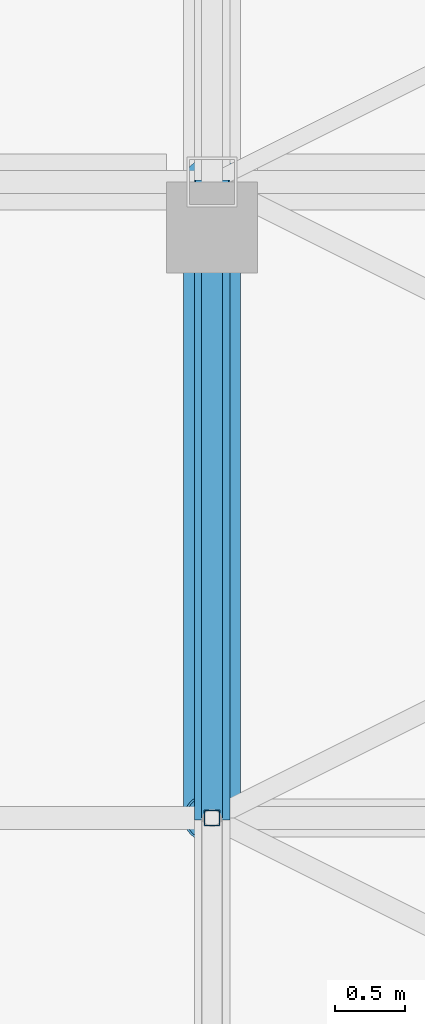
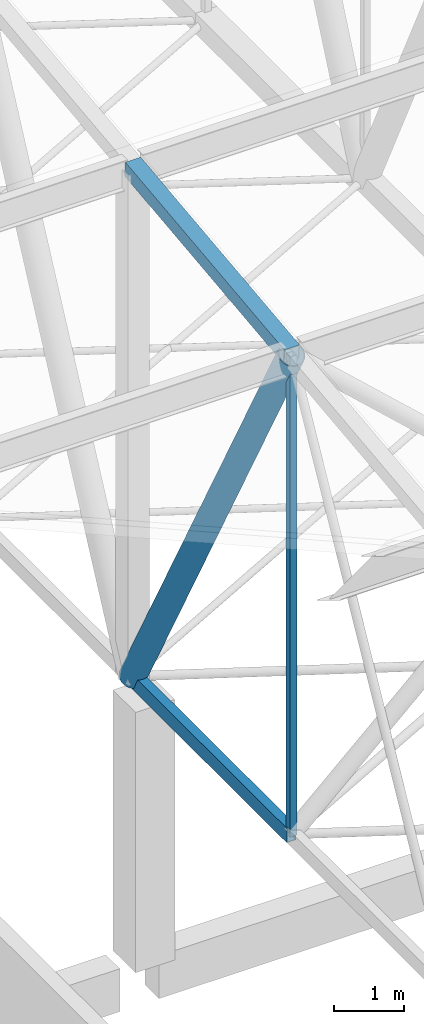
# One storey, part 35 of 500: 4 members.
"""IFC4 building model written with IfcOpenShell, lengths in metres."""

from ifc_helpers import new_model, si_unit, direction, frame, origin, origin_2d, place, context, subcontext, project, spatial, hollow_rectangle, hollow_circle, extrude, material, material_profile, profile_set, type_object, element, save


model = new_model("IFC4")

# Units and contexts
model_context = context("Model", 3, precision=1e-05, world=origin(), true_north=direction((0.0, 1.0)))
body_context = subcontext(model_context, "Body", "Model", "MODEL_VIEW")
ifc_project = project(units=[si_unit("LENGTHUNIT", "METRE"), si_unit("AREAUNIT", "SQUARE_METRE"), si_unit("VOLUMEUNIT", "CUBIC_METRE"), si_unit("PLANEANGLEUNIT", "RADIAN"), si_unit("MASSUNIT", "GRAM", prefix="KILO")], contexts=[model_context])

# Site, building, storey
site_placement = place(None, origin())
site = spatial("IfcSite", under=ifc_project, at=site_placement, CompositionType="ELEMENT")
building_placement = place(site_placement, origin())
building = spatial("IfcBuilding", under=site, at=building_placement, Name="Shirokan Park Arena", CompositionType="ELEMENT")
storey_placement = place(building_placement, frame((0.0, 0.0, 29.1201171875)))
storey = spatial("IfcBuildingStorey", under=building, at=storey_placement, Name="L06", CompositionType="ELEMENT", Elevation=29.1201171875)

# Members
ifc_material = material(Name="Steel ASTM A500 Grade C", Category="steel")
ifc_material_profile_1 = material_profile(ifc_material, hollow_rectangle(XDim=0.152099609375, YDim=0.25390625, WallThickness=0.009521484375, at=origin_2d()), Name="HSS254X152.4X9.5")
ifc_profile_set_1 = profile_set([ifc_material_profile_1], Name="Steel ASTM A500 Grade C")
member_type_1 = type_object("IfcMemberType", Name="Bottom chord HSS254X152.4X9.5", PredefinedType="CHORD", material=ifc_profile_set_1)
member_1_placement = place(storey_placement, frame((45.5, 4.550048828125, 4.677001953125), z_axis=(0.0, 1.0, 0.0), x_axis=(-1.0, 0.0, 0.0)))
element("IfcMember", 1, at=member_1_placement, inside=storey, type_object=member_type_1, Name="Truss T06 bottom chord 4", PredefinedType="CHORD", context=body_context, shape_type="SweptSolid", body=[
    extrude(hollow_rectangle(XDim=0.152099609375, YDim=0.25390625, WallThickness=0.009521484375, at=origin_2d()), origin(), (0.0, 0.0, 1.0), 4.550048828125),
])
ifc_material_profile_2 = material_profile(ifc_material, hollow_rectangle(XDim=0.25390625, YDim=0.25390625, WallThickness=0.009521484375, at=origin_2d()), Name="HSS254X254X9.5")
ifc_profile_set_2 = profile_set([ifc_material_profile_2], Name="Steel ASTM A500 Grade C")
member_type_2 = type_object("IfcMemberType", Name="Top chord HSS254X254X9.5", PredefinedType="CHORD", material=ifc_profile_set_2)
member_2_placement = place(storey_placement, frame((45.5, 4.550048828125, 13.061279296875), z_axis=(0.0, 0.993532328996, 0.113549598152), x_axis=(-1.0, 0.0, 0.0)))
element("IfcMember", 2, at=member_2_placement, inside=storey, type_object=member_type_2, Name="Truss T06 top chord 4", PredefinedType="CHORD", context=body_context, shape_type="SweptSolid", body=[
    extrude(hollow_rectangle(XDim=0.25390625, YDim=0.25390625, WallThickness=0.009521484375, at=origin_2d()), origin(), (0.0, 0.0, 1.0), 4.57958984375),
])
ifc_material_profile_3 = material_profile(ifc_material, hollow_circle(Radius=0.202880859375, WallThickness=0.015869140625, at=origin_2d()), Name="HSS406.4X15.9")
ifc_profile_set_3 = profile_set([ifc_material_profile_3], Name="Steel ASTM A500 Grade C")
member_type_3 = type_object("IfcMemberType", Name="Truss diagonal HSS406.4X15.9", PredefinedType="BRACE", material=ifc_profile_set_3)
member_3_placement = place(storey_placement, frame((45.5, 4.550048828125, 13.061279296875), z_axis=(0.0, 0.476977206611, -0.878915663971), x_axis=(-1.0, 0.0, 0.0)))
element("IfcMember", 3, at=member_3_placement, inside=storey, type_object=member_type_3, Name="Truss T06 diagonal 4", PredefinedType="BRACE", context=body_context, shape_type="SweptSolid", body=[
    extrude(hollow_circle(Radius=0.202880859375, WallThickness=0.015869140625, at=origin_2d()), origin(), (0.0, 0.0, 1.0), 9.539306640625),
])
ifc_material_profile_4 = material_profile(ifc_material, hollow_rectangle(XDim=0.114013671875, YDim=0.114013671875, WallThickness=0.00634765625, at=origin_2d()), Name="HSS114.3X114.3X6.4")
ifc_profile_set_4 = profile_set([ifc_material_profile_4], Name="Steel ASTM A500 Grade C")
member_type_4 = type_object("IfcMemberType", Name="Truss post HSS114.3X114.3X6.4", PredefinedType="POST", material=ifc_profile_set_4)
member_4_placement = place(storey_placement, frame((45.5, 4.550048828125, 4.677001953125), z_axis=(0.0, 0.0, 1.0), x_axis=(1.0, 0.0, 0.0)))
element("IfcMember", 4, at=member_4_placement, inside=storey, type_object=member_type_4, Name="Truss T06 post 4", PredefinedType="POST", context=body_context, shape_type="SweptSolid", body=[
    extrude(hollow_rectangle(XDim=0.114013671875, YDim=0.114013671875, WallThickness=0.00634765625, at=origin_2d()), origin(), (0.0, 0.0, 1.0), 8.38427734375),
])

save(model, "model.ifc")
